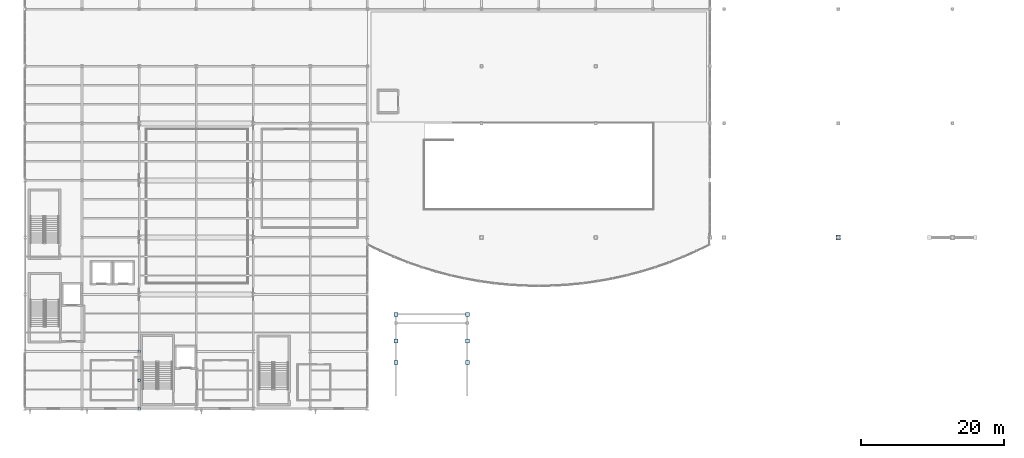
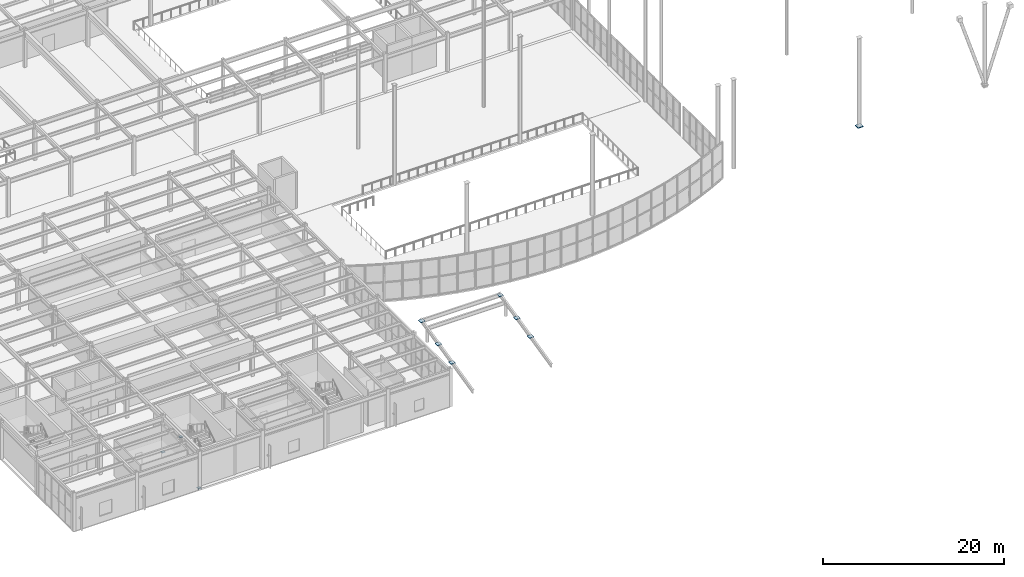
# One storey, part 53 of 77: 10 plates.
"""IFC4 building model written with IfcOpenShell, lengths in metres."""

import ifcopenshell
import ifcopenshell.guid

model = None  # the IFC model being written
_history = None  # IfcOwnerHistory: only IFC2X3 demands one
_inside = {}  # id of a spatial element -> (the spatial element, [elements in it])
_under = {}  # id of a project, library or spatial element -> (it, [spatial elements below it])
_declared = {}  # id of a project -> (the project, [libraries it declares])
_typed = {}  # id of a type object -> (the type object, [elements of that type])
_made_of = {}  # id of a material, layer set ... -> (it, [elements and type objects made of it])


def new_model(schema):
    """Start an empty IFC model of exactly this schema.

    Asked for "IFC4X3", IfcOpenShell would pick the latest addendum, in which some entities
    have other attributes; the version numbers below select the first issue.
    IFC2X3 requires an IfcOwnerHistory on every rooted entity: one is made here for all.
    """
    global model, _history
    if schema == "IFC4X3":
        model = ifcopenshell.file(schema_version=(4, 3, 0, 0))
    else:
        model = ifcopenshell.file(schema=schema)
    _inside.clear()
    _under.clear()
    _declared.clear()
    _typed.clear()
    _made_of.clear()
    _history = None
    if model.schema == "IFC2X3":
        org = make("IfcOrganization", Name="unknown")
        user = make(
            "IfcPersonAndOrganization",
            ThePerson=make("IfcPerson", FamilyName="unknown"),
            TheOrganization=org,
        )
        app = make(
            "IfcApplication",
            ApplicationDeveloper=org,
            Version="unknown",
            ApplicationFullName="unknown",
            ApplicationIdentifier="unknown",
        )
        _history = make(
            "IfcOwnerHistory",
            OwningUser=user,
            OwningApplication=app,
            ChangeAction="ADDED",
            CreationDate=0,
        )
    return model


def make(cls, **values):
    """One entity of the class cls with the attributes given. An attribute that is None is left unset."""
    return model.create_entity(
        cls, **{name: value for name, value in values.items() if value is not None}
    )


def rooted(cls, **values):
    """An entity with a GlobalId (a new one), such as an element, a storey or a relation."""
    return make(cls, GlobalId=ifcopenshell.guid.new(), OwnerHistory=_history, **values)


def si_unit(unit_type, name, prefix=None):
    """IfcSIUnit, for example si_unit("LENGTHUNIT", "METRE", prefix="MILLI")."""
    return make("IfcSIUnit", UnitType=unit_type, Prefix=prefix, Name=name)


def assignment(units):
    """IfcUnitAssignment: the units of a project."""
    return None if units is None else make("IfcUnitAssignment", Units=units)


def point(xyz):
    """IfcCartesianPoint."""
    return None if xyz is None else make("IfcCartesianPoint", Coordinates=xyz)


def direction(xyz):
    """IfcDirection."""
    return None if xyz is None else make("IfcDirection", DirectionRatios=xyz)


def frame(location, z_axis=None, x_axis=None):
    """IfcAxis2Placement3D, a coordinate frame: its origin and axes. An axis left out is left unset."""
    return make(
        "IfcAxis2Placement3D",
        Location=point(location),
        Axis=direction(z_axis),
        RefDirection=direction(x_axis),
    )


def frame_2d(location, x_axis=None):
    """IfcAxis2Placement2D, a coordinate frame in the plane: its origin and x axis."""
    return make(
        "IfcAxis2Placement2D", Location=point(location), RefDirection=direction(x_axis)
    )


def origin():
    """The frame at (0, 0, 0) with its axes left unset."""
    return frame((0.0, 0.0, 0.0))


def origin_2d():
    """The frame at (0, 0) in the plane with its x axis left unset."""
    return frame_2d((0.0, 0.0))


def place(relative_to, where):
    """IfcLocalPlacement: puts the frame where relative to a parent placement (None: the world)."""
    return make(
        "IfcLocalPlacement", PlacementRelTo=relative_to, RelativePlacement=where
    )


def context(
    kind, dimensions, precision=None, world=None, true_north=None, identifier=None
):
    """IfcGeometricRepresentationContext, for example the 3D "Model" context."""
    return make(
        "IfcGeometricRepresentationContext",
        ContextIdentifier=identifier,
        ContextType=kind,
        CoordinateSpaceDimension=dimensions,
        Precision=precision,
        WorldCoordinateSystem=world,
        TrueNorth=true_north,
    )


def subcontext(parent, identifier, kind, view, scale=None):
    """IfcGeometricRepresentationSubContext, for example "Body" below "Model"."""
    return make(
        "IfcGeometricRepresentationSubContext",
        ContextIdentifier=identifier,
        ContextType=kind,
        ParentContext=parent,
        TargetScale=scale,
        TargetView=view,
    )


def project(units=None, contexts=None):
    """IfcProject with its units and contexts."""
    return rooted(
        "IfcProject",
        Name="project",
        RepresentationContexts=contexts,
        UnitsInContext=assignment(units),
    )


def spatial(cls, under=None, at=None, **own):
    """A site, building, storey or space (cls), placed at a placement, below another one or the project."""
    s = rooted(cls, ObjectPlacement=at, **own)
    if under is not None:
        _under.setdefault(under.id(), (under, []))[1].append(s)
    return s


def profile(cls, at=None, kind="AREA", **sizes):
    """A parametric profile (cls). Its sizes go by their IFC names, for example OverallWidth=200.0."""
    return make(cls, ProfileType=kind, Position=at, **sizes)


def rectangle(**sizes):
    """IfcRectangleProfileDef."""
    return profile("IfcRectangleProfileDef", **sizes)


def extrude(swept, where, along, depth):
    """IfcExtrudedAreaSolid: the profile swept, set in the frame where, extruded along a direction by depth."""
    return make(
        "IfcExtrudedAreaSolid",
        SweptArea=swept,
        Position=where,
        ExtrudedDirection=direction(along),
        Depth=depth,
    )


def shape(context_of_items, identifier, shape_type, items):
    """IfcShapeRepresentation: the items that make up one representation, for example the "Body"."""
    return make(
        "IfcShapeRepresentation",
        ContextOfItems=context_of_items,
        RepresentationIdentifier=identifier,
        RepresentationType=shape_type,
        Items=items,
    )


def material(Name=None, Category=None):
    """IfcMaterial."""
    return make("IfcMaterial", Name=Name, Category=Category)


def layer(
    of_material, thickness, ventilated=None, Name=None, Category=None, Priority=None
):
    """IfcMaterialLayer: one layer of a wall or slab, of a material (None: an air gap)."""
    return make(
        "IfcMaterialLayer",
        Material=of_material,
        LayerThickness=thickness,
        IsVentilated=ventilated,
        Name=Name,
        Category=Category,
        Priority=Priority,
    )


def layer_set(layers, Name=None):
    """IfcMaterialLayerSet."""
    return make("IfcMaterialLayerSet", MaterialLayers=layers, LayerSetName=Name)


def made_of(thing, what):
    """Note that an element or type object is made of a material, layer set ...; save() writes the relation."""
    if what is not None:
        _made_of.setdefault(what.id(), (what, []))[1].append(thing)
    return thing


def type_object(cls, material=None, **own):
    """A type object (cls), such as IfcWallType, which elements share."""
    return made_of(rooted(cls, **own), material)


def element(
    cls,
    number,
    at=None,
    inside=None,
    cuts=None,
    type_object=None,
    material=None,
    context=None,
    identifier="Body",
    shape_type=None,
    held_by="IfcProductDefinitionShape",
    body=None,
    shapes=None,
    **own,
):
    """One element of the class cls, such as IfcWall. Its Tag is "e" and its number.

    at: its placement. inside: the storey or other place that contains it. cuts: it is an
    opening in that element (IfcRelVoidsElement). A single representation is given by context,
    identifier, shape_type and body (its items); several are given by shapes. held_by: the class
    of the entity that holds the representations. save() writes the other relations.
    """
    e = rooted(cls, Tag="e%d" % number, ObjectPlacement=at, **own)
    if body is not None:
        shapes = [shape(context, identifier, shape_type, body)]
    if shapes is not None:
        e.Representation = make(held_by, Representations=shapes)
    if inside is not None:
        _inside.setdefault(inside.id(), (inside, []))[1].append(e)
    if cuts is not None:
        rooted(
            "IfcRelVoidsElement", RelatingBuildingElement=cuts, RelatedOpeningElement=e
        )
    if type_object is not None:
        _typed.setdefault(type_object.id(), (type_object, []))[1].append(e)
    return made_of(e, material)


def aggregate(whole, parts):
    """IfcRelAggregates: a whole, such as a stair, and the parts it consists of."""
    return rooted("IfcRelAggregates", RelatingObject=whole, RelatedObjects=parts)


def save(model, path):
    """Write the relations noted so far, then the file.

    IfcRelAggregates (storeys below a building ...), IfcRelContainedInSpatialStructure (elements
    in a storey), IfcRelDefinesByType, IfcRelAssociatesMaterial and IfcRelDeclares: one each for
    every whole, place, type object, material and project.
    """
    for whole, parts in _under.values():
        aggregate(whole, parts)
    for where, things in _inside.values():
        rooted(
            "IfcRelContainedInSpatialStructure",
            RelatedElements=things,
            RelatingStructure=where,
        )
    for kind, things in _typed.values():
        rooted("IfcRelDefinesByType", RelatedObjects=things, RelatingType=kind)
    for what, things in _made_of.values():
        rooted("IfcRelAssociatesMaterial", RelatedObjects=things, RelatingMaterial=what)
    for by, libraries in _declared.values():
        rooted("IfcRelDeclares", RelatingContext=by, RelatedDefinitions=libraries)
    model.write(path)


model = new_model("IFC4")

# Units and contexts
model_context = context("Model", 3, precision=1e-05, world=origin(), true_north=direction((0.0, 1.0)))
body_context = subcontext(model_context, "Body", "Model", "MODEL_VIEW")
ifc_project = project(units=[si_unit("LENGTHUNIT", "METRE"), si_unit("AREAUNIT", "SQUARE_METRE"), si_unit("VOLUMEUNIT", "CUBIC_METRE"), si_unit("PLANEANGLEUNIT", "RADIAN"), si_unit("MASSUNIT", "GRAM", prefix="KILO")], contexts=[model_context])

# Site, building, storey
site_placement = place(None, origin())
site = spatial("IfcSite", under=ifc_project, at=site_placement, CompositionType="ELEMENT")
building_placement = place(site_placement, origin())
building = spatial("IfcBuilding", under=site, at=building_placement, Name="Drelvath Fold Interchange", CompositionType="ELEMENT")
storey_placement = place(building_placement, frame((0.0, 0.0, 6.0)))
storey = spatial("IfcBuildingStorey", under=building, at=storey_placement, Name="L01", CompositionType="ELEMENT", Elevation=6.0)

# Plates
ifc_material = material(Name="Steel ASTM A572 Grade 50", Category="steel")
ifc_layer_1 = layer(ifc_material, 0.030029296875, Name="Steel ASTM A572 Grade 50")
ifc_layer_set_1 = layer_set([ifc_layer_1], Name="Steel ASTM A572 Grade 50")
plate_type_1 = type_object("IfcPlateType", Name="SN-04", PredefinedType="SHEET", material=ifc_layer_set_1)
for number, where, z_axis, x_axis, name in (
    (1, (20.0, 7.0, 4.6259765625), (0.0, 0.0, 1.0), (1.0, 0.0, 0.0), "Braced frame chevron apex gusset SN-04"),
    (2, (20.0, 3.0, 0.14501953125), (0.0, 0.0, 1.0), (1.0, 0.0, 0.0), "Braced frame column base gusset SN-04"),
    (3, (20.0, 11.0, 0.14501953125), (0.0, 0.0, 1.0), (1.0, 0.0, 0.0), "Braced frame column base gusset SN-04"),
):
    element("IfcPlate", number, at=place(storey_placement, frame(where, z_axis=z_axis, x_axis=x_axis)), inside=storey, type_object=plate_type_1, Name=name, PredefinedType="SHEET", context=body_context, shape_type="SweptSolid", body=[
        extrude(rectangle(XDim=0.360107421875, YDim=0.360107421875, at=origin_2d()), origin(), (0.0, 0.0, 1.0), 0.030029296875),
    ])
ifc_layer_2 = layer(ifc_material, 0.090087890625, Name="Steel ASTM A572 Grade 50")
ifc_layer_set_2 = layer_set([ifc_layer_2], Name="Steel ASTM A572 Grade 50")
plate_type_2 = type_object("IfcPlateType", Name="VN-01", PredefinedType="USERDEFINED", material=ifc_layer_set_2)
plate_placement = place(storey_placement, frame((118.0, 27.0, 0.0048828125), z_axis=(0.0, 0.0, 1.0), x_axis=(1.0, 0.0, 0.0)))
element("IfcPlate", 4, at=plate_placement, inside=storey, type_object=plate_type_2, Name="Canopy V-strut springing node VN-01", ObjectType="GUSSET PLATE", PredefinedType="USERDEFINED", context=body_context, shape_type="SweptSolid", body=[
    extrude(rectangle(XDim=0.679931640625, YDim=0.679931640625, at=origin_2d()), origin(), (0.0, 0.0, 1.0), 0.090087890625),
])
ifc_layer_3 = layer(ifc_material, 0.070068359375, Name="Steel ASTM A572 Grade 50")
ifc_layer_set_3 = layer_set([ifc_layer_3], Name="Steel ASTM A572 Grade 50")
plate_type_3 = type_object("IfcPlateType", Name="VN-02", PredefinedType="USERDEFINED", material=ifc_layer_set_3)
for number, where, z_axis, x_axis, name in (
    (5, (56.0, 9.5, 0.4619140625), (0.0, 0.0, 1.0), (1.0, 0.0, 0.0), "Forecourt V-strut head node VN-02"),
    (6, (66.0, 9.5, 0.4619140625), (0.0, 0.0, 1.0), (1.0, 0.0, 0.0), "Forecourt V-strut head node VN-02"),
    (7, (56.0, 12.5, 1.15478515625), (0.0, 0.0, 1.0), (1.0, 0.0, 0.0), "Forecourt V-strut head node VN-02"),
    (8, (56.0, 16.199951171875, 2.0087890625), (0.0, 0.0, 1.0), (1.0, 0.0, 0.0), "Forecourt V-strut head node VN-02"),
    (9, (66.0, 12.5, 1.15478515625), (0.0, 0.0, 1.0), (1.0, 0.0, 0.0), "Forecourt V-strut head node VN-02"),
    (10, (66.0, 16.199951171875, 2.0087890625), (0.0, 0.0, 1.0), (1.0, 0.0, 0.0), "Forecourt V-strut head node VN-02"),
):
    element("IfcPlate", number, at=place(storey_placement, frame(where, z_axis=z_axis, x_axis=x_axis)), inside=storey, type_object=plate_type_3, Name=name, ObjectType="GUSSET PLATE", PredefinedType="USERDEFINED", context=body_context, shape_type="SweptSolid", body=[
        extrude(rectangle(XDim=0.56005859375, YDim=0.56005859375, at=origin_2d()), origin(), (0.0, 0.0, 1.0), 0.070068359375),
    ])

save(model, "model.ifc")
